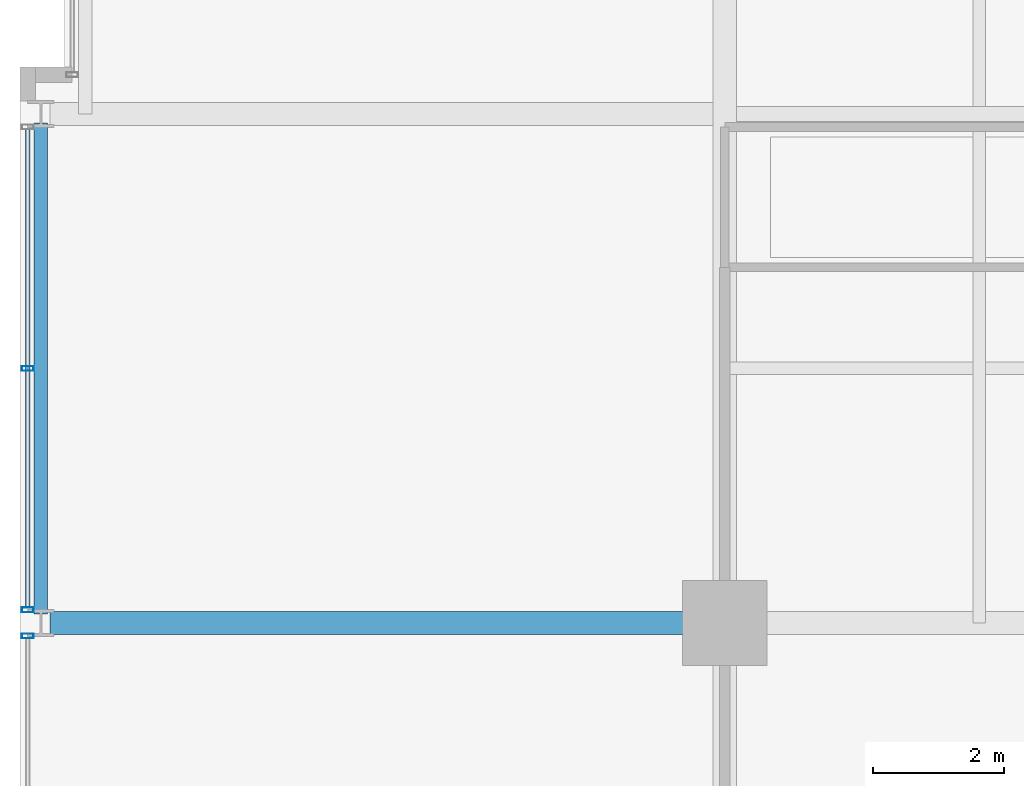
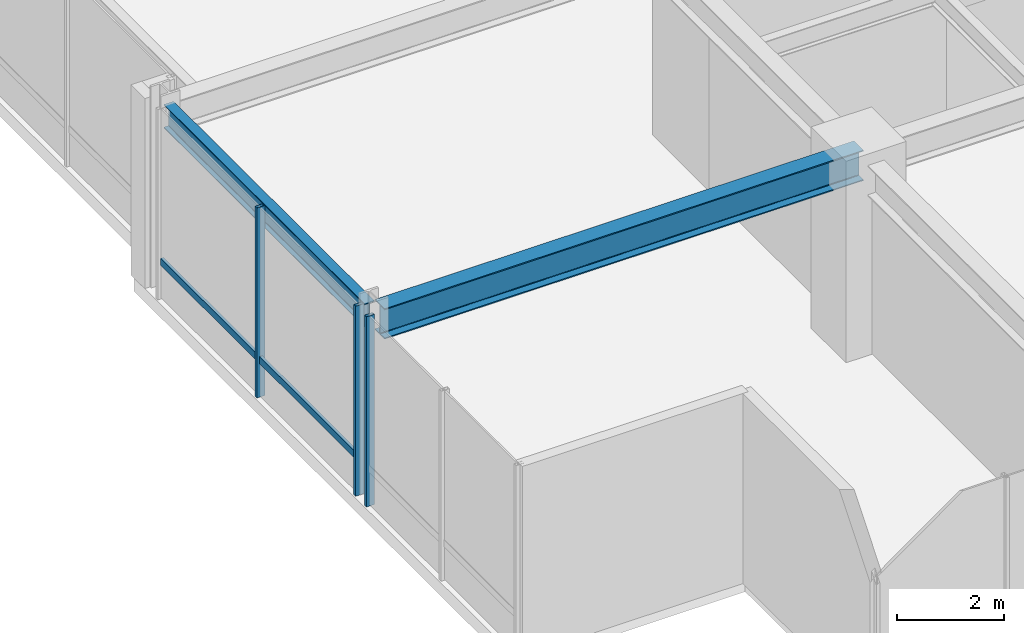
# One storey, part 4 of 32: 4 members, 2 beams, 2 elements without a shape of their own.
"""IFC4 building model written with IfcOpenShell, lengths in metres."""

from ifc_helpers import new_model, si_unit, direction, frame, origin, origin_2d, place, context, subcontext, project, spatial, hollow_rectangle, i_section, extrude, material, layer, layer_set, material_profile, profile_set, type_object, element, aggregate, save


model = new_model("IFC4")

# Units and contexts
model_context = context("Model", 3, precision=1e-05, world=origin(), true_north=direction((0.0, 1.0)))
body_context = subcontext(model_context, "Body", "Model", "MODEL_VIEW")
ifc_project = project(units=[si_unit("LENGTHUNIT", "METRE"), si_unit("AREAUNIT", "SQUARE_METRE"), si_unit("VOLUMEUNIT", "CUBIC_METRE"), si_unit("PLANEANGLEUNIT", "RADIAN"), si_unit("MASSUNIT", "GRAM", prefix="KILO")], contexts=[model_context])

# Site, building, storey
site_placement = place(None, origin())
site = spatial("IfcSite", under=ifc_project, at=site_placement, CompositionType="ELEMENT")
building_placement = place(site_placement, origin())
building = spatial("IfcBuilding", under=site, at=building_placement, Name="Drelvath Grand Hotel", CompositionType="ELEMENT")
storey_placement = place(building_placement, frame((0.0, 0.0, 145.800048828125)))
storey = spatial("IfcBuildingStorey", under=building, at=storey_placement, Name="L37", CompositionType="ELEMENT", Elevation=145.800048828125)

# Curtain wall, member
ifc_material_1 = material(Name="Brushed Pale-Silver Anodised Aluminium Frame", Category="aluminium")
ifc_layer = layer(ifc_material_1, 0.199951171875)
ifc_layer_set = layer_set([ifc_layer], Name="Brushed Pale-Silver Anodised Aluminium Frame")
curtain_wall_type = type_object("IfcCurtainWallType", Name="Stick Curtain Wall CW-04 Brushed Silver Upper-Mid", PredefinedType="NOTDEFINED", material=ifc_layer_set)
curtain_wall_1_placement = place(storey_placement, origin())
curtain_wall_1 = element("IfcCurtainWall", 1, at=curtain_wall_1_placement, inside=storey, type_object=curtain_wall_type, Name="L37 CW-04 Curtain Wall CW04-L37-WS2", PredefinedType="NOTDEFINED")
ifc_material_profile_1 = material_profile(ifc_material_1, hollow_rectangle(XDim=0.06494140625, YDim=0.159912109375, WallThickness=0.00390625, at=origin_2d()), Name="HSS160X65X4")
ifc_profile_set_1 = profile_set([ifc_material_profile_1], Name="Brushed Pale-Silver Anodised Aluminium Frame")
member_type_1 = type_object("IfcMemberType", Name="Curtain Wall Horizontal Transom CW-04 HSS160X65X4", PredefinedType="USERDEFINED", material=ifc_profile_set_1)
member_1_placement = place(storey_placement, frame((-26.8798828125, 11.0400390625, 0.849853515625), z_axis=(0.0, 1.0, 0.0), x_axis=(-1.0, 0.0, 0.0)))
member_1 = element("IfcMember", 2, at=member_1_placement, type_object=member_type_1, Name="CW04-L37-WS2 Sill Transom", ObjectType="TRANSOM", PredefinedType="USERDEFINED", context=body_context, shape_type="SweptSolid", body=[
    extrude(hollow_rectangle(XDim=0.06494140625, YDim=0.159912109375, WallThickness=0.00390625, at=origin_2d()), origin(), (0.0, 0.0, 1.0), 7.320068359375),
])

curtain_wall_2_placement = place(storey_placement, origin())
curtain_wall_2 = element("IfcCurtainWall", 3, at=curtain_wall_2_placement, inside=storey, type_object=curtain_wall_type, Name="L37 CW-04 Curtain Wall CW04-L37-WS1", PredefinedType="NOTDEFINED")
ifc_material_profile_2 = material_profile(ifc_material_1, hollow_rectangle(XDim=0.074951171875, YDim=0.179931640625, WallThickness=0.0048828125, at=origin_2d()), Name="HSS180X75X5")
ifc_profile_set_2 = profile_set([ifc_material_profile_2], Name="Brushed Pale-Silver Anodised Aluminium Frame")
member_type_2 = type_object("IfcMemberType", Name="Curtain Wall Vertical Mullion CW-04 HSS180X75X5", PredefinedType="MULLION", material=ifc_profile_set_2)
member_2_placement = place(storey_placement, frame((-26.8798828125, 10.599853515625, 0.0), z_axis=(0.0, 0.0, 1.0), x_axis=(0.0, 1.0, 0.0)))
member_2 = element("IfcMember", 4, at=member_2_placement, type_object=member_type_2, Name="CW04-L37-WS1 Mullion 3", PredefinedType="MULLION", context=body_context, shape_type="SweptSolid", body=[
    extrude(hollow_rectangle(XDim=0.074951171875, YDim=0.179931640625, WallThickness=0.0048828125, at=origin_2d()), origin(), (0.0, 0.0, 1.0), 4.33984375),
])
aggregate(curtain_wall_2, [member_2])

# Member
member_3_placement = place(storey_placement, frame((-26.8798828125, 11.0, 0.0), z_axis=(0.0, 0.0, 1.0), x_axis=(0.0, 1.0, 0.0)))
member_3 = element("IfcMember", 5, at=member_3_placement, type_object=member_type_2, Name="CW04-L37-WS2 Mullion 1", PredefinedType="MULLION", context=body_context, shape_type="SweptSolid", body=[
    extrude(hollow_rectangle(XDim=0.074951171875, YDim=0.179931640625, WallThickness=0.0048828125, at=origin_2d()), origin(), (0.0, 0.0, 1.0), 4.33984375),
])

member_4_placement = place(storey_placement, frame((-26.8798828125, 14.699951171875, 0.0), z_axis=(0.0, 0.0, 1.0), x_axis=(0.0, 1.0, 0.0)))
member_4 = element("IfcMember", 6, at=member_4_placement, type_object=member_type_2, Name="CW04-L37-WS2 Mullion 2", PredefinedType="MULLION", context=body_context, shape_type="SweptSolid", body=[
    extrude(hollow_rectangle(XDim=0.074951171875, YDim=0.179931640625, WallThickness=0.0048828125, at=origin_2d()), origin(), (0.0, 0.0, 1.0), 4.33984375),
])

aggregate(curtain_wall_1, [member_3, member_4, member_1])

# Beams
ifc_material_2 = material(Name="Steel ASTM A992 Gr 50", Category="steel")
ifc_material_profile_3 = material_profile(ifc_material_2, i_section(OverallWidth=0.210205078125, OverallDepth=0.53662109375, WebThickness=0.010986328125, FlangeThickness=0.017333984375, FilletRadius=0.01806640625, at=origin_2d()), Name="W21X68")
ifc_profile_set_3 = profile_set([ifc_material_profile_3], Name="Steel ASTM A992 Gr 50")
beam_type_1 = type_object("IfcBeamType", Name="Perimeter Spandrel Beam W21X68", PredefinedType="SPANDREL", material=ifc_profile_set_3)
beam_1_placement = place(storey_placement, frame((-26.679931640625, 10.93994140625, 4.071533203125), z_axis=(0.0, 1.0, 0.0), x_axis=(-1.0, 0.0, 0.0)))
element("IfcBeam", 7, at=beam_1_placement, inside=storey, type_object=beam_type_1, Name="L37 Spandrel West S", PredefinedType="SPANDREL", context=body_context, shape_type="SweptSolid", body=[
    extrude(i_section(OverallWidth=0.210205078125, OverallDepth=0.53662109375, WebThickness=0.010986328125, FlangeThickness=0.017333984375, FilletRadius=0.01806640625, at=origin_2d()), origin(), (0.0, 0.0, 1.0), 7.52001953125),
])
ifc_material_profile_4 = material_profile(ifc_material_2, i_section(OverallWidth=0.354736328125, OverallDepth=0.695556640625, WebThickness=0.015380859375, FlangeThickness=0.025146484375, FilletRadius=0.02392578125, at=origin_2d()), Name="W27X146")
ifc_profile_set_4 = profile_set([ifc_material_profile_4], Name="Steel ASTM A992 Gr 50")
beam_type_2 = type_object("IfcBeamType", Name="Primary Floor Girder W27X146", PredefinedType="BEAM", material=ifc_profile_set_4)
beam_2_placement = place(storey_placement, frame((-26.5400390625, 10.800048828125, 3.9921875), z_axis=(1.0, 0.0, 0.0), x_axis=(0.0, 1.0, 0.0)))
element("IfcBeam", 8, at=beam_2_placement, inside=storey, type_object=beam_type_2, Name="L37 West Grid Girder C", PredefinedType="BEAM", context=body_context, shape_type="SweptSolid", body=[
    extrude(i_section(OverallWidth=0.354736328125, OverallDepth=0.695556640625, WebThickness=0.015380859375, FlangeThickness=0.025146484375, FilletRadius=0.02392578125, at=origin_2d()), origin(), (0.0, 0.0, 1.0), 10.340087890625),
])

save(model, "model.ifc")
